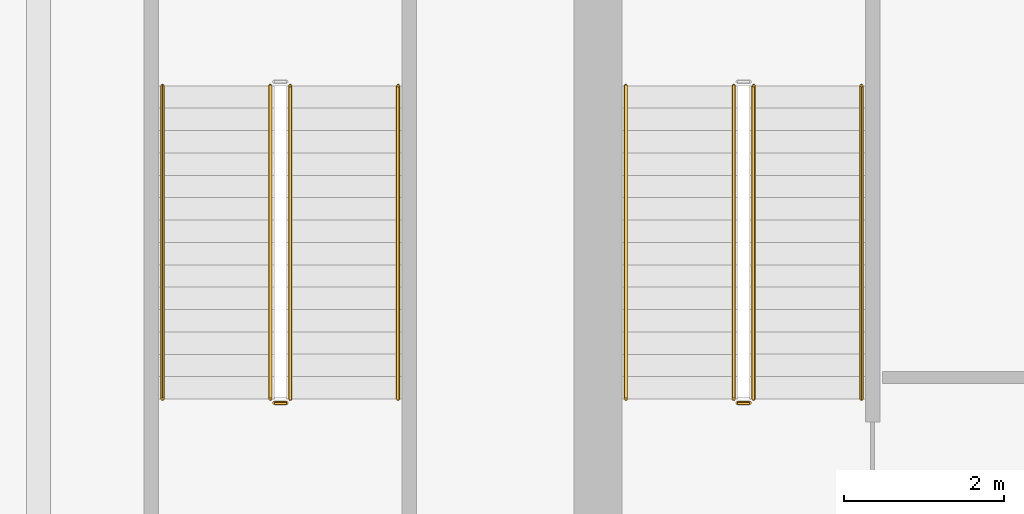
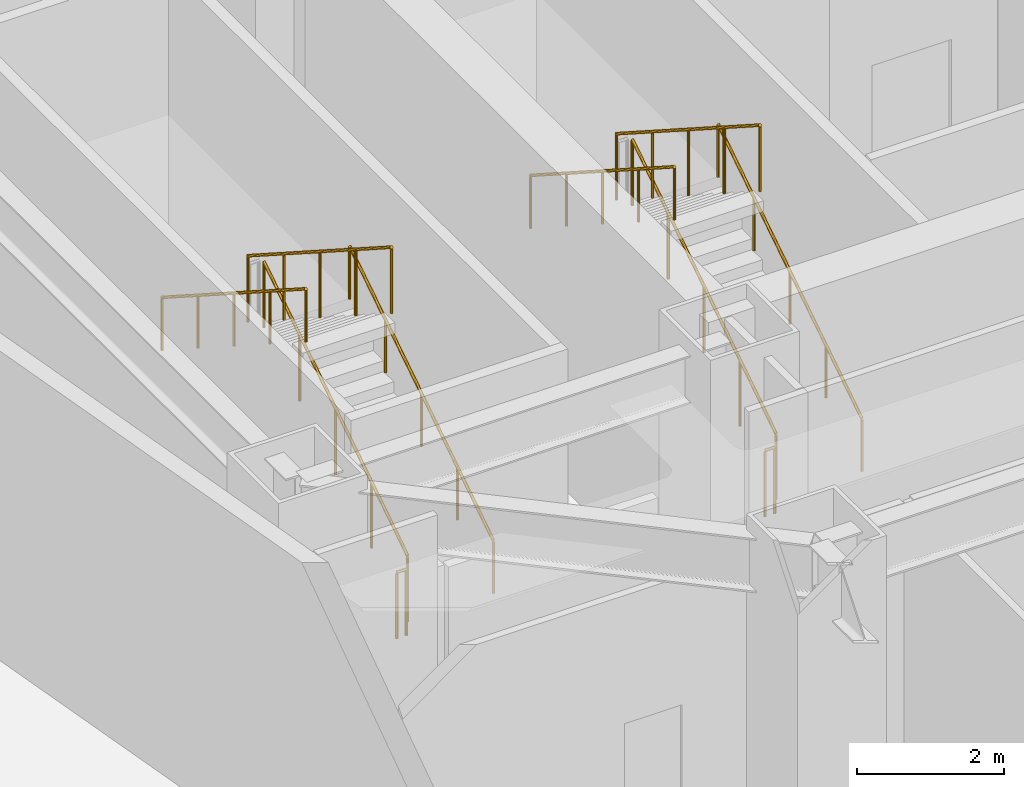
# One storey, part 26 of 29: 10 railings.
"""IFC4 building model written with IfcOpenShell, lengths in metres."""

from ifc_helpers import new_model, si_unit, direction, frame, origin, origin_2d, place, context, subcontext, project, spatial, circle, extrude, material, type_object, element, save


model = new_model("IFC4")

# Units and contexts
model_context = context("Model", 3, precision=1e-05, world=origin(), true_north=direction((0.0, 1.0)))
body_context = subcontext(model_context, "Body", "Model", "MODEL_VIEW")
ifc_project = project(units=[si_unit("LENGTHUNIT", "METRE"), si_unit("AREAUNIT", "SQUARE_METRE"), si_unit("VOLUMEUNIT", "CUBIC_METRE"), si_unit("PLANEANGLEUNIT", "RADIAN"), si_unit("MASSUNIT", "GRAM", prefix="KILO")], contexts=[model_context])

# Site, building, storey
site_placement = place(None, origin())
site = spatial("IfcSite", under=ifc_project, at=site_placement, CompositionType="ELEMENT")
building_placement = place(site_placement, origin())
building = spatial("IfcBuilding", under=site, at=building_placement, Name="Saevonmaru Cultural Tower", CompositionType="ELEMENT")
storey_placement = place(building_placement, frame((0.0, 0.0, 27.60009765625)))
storey = spatial("IfcBuildingStorey", under=building, at=storey_placement, Name="L05", CompositionType="ELEMENT", Elevation=27.60009765625)

# Railings
ifc_material_1 = material(Name="Architectural Painted Steel", Category="steel")
railing_type_1 = type_object("IfcRailingType", Name="RL-STAIR-GUARD", PredefinedType="GUARDRAIL", material=ifc_material_1)
railing_1_placement = place(storey_placement, frame((15.75, 44.85009765625, 0.179931640625)))
element("IfcRailing", 1, at=railing_1_placement, inside=storey, type_object=railing_type_1, Name="L05 ST-1 stair guard 1", PredefinedType="GUARDRAIL", context=body_context, shape_type="SweptSolid", body=[
    extrude(circle(Radius=0.02392578125, at=origin_2d()), frame((0.0, 0.0, 1.09619140625), z_axis=(0.0, 0.841171666519, 0.540768182723), x_axis=(-1.0, 0.0, 0.0)), (0.0, 0.0, 1.0), 4.66015625),
    extrude(circle(Radius=0.02099609375, at=origin_2d()), origin(), (0.0, 0.0, 1.0), 1.072021484375),
    extrude(circle(Radius=0.02099609375, at=origin_2d()), frame((0.0, 0.97998046875, 0.6298828125)), (0.0, 0.0, 1.0), 1.072021484375),
    extrude(circle(Radius=0.02099609375, at=origin_2d()), frame((0.0, 1.9599609375, 1.260009765625)), (0.0, 0.0, 1.0), 1.072021484375),
    extrude(circle(Radius=0.02099609375, at=origin_2d()), frame((0.0, 2.93994140625, 1.89013671875)), (0.0, 0.0, 1.0), 1.072021484375),
    extrude(circle(Radius=0.02099609375, at=origin_2d()), frame((0.0, 3.919921875, 2.52001953125)), (0.0, 0.0, 1.0), 1.072021484375),
])
railing_2_placement = place(storey_placement, frame((15.5, 48.77001953125, 2.8798828125)))
element("IfcRailing", 2, at=railing_2_placement, inside=storey, type_object=railing_type_1, Name="L05 ST-1 stair guard 3", PredefinedType="GUARDRAIL", context=body_context, shape_type="SweptSolid", body=[
    extrude(circle(Radius=0.02392578125, at=origin_2d()), frame((0.0, 0.0, 1.09619140625), z_axis=(0.0, -0.841171666519, 0.540768182723), x_axis=(1.0, 0.0, 0.0)), (0.0, 0.0, 1.0), 4.66015625),
    extrude(circle(Radius=0.02099609375, at=origin_2d()), origin(), (0.0, 0.0, 1.0), 1.072021484375),
    extrude(circle(Radius=0.02099609375, at=origin_2d()), frame((0.0, -0.97998046875, 0.6298828125)), (0.0, 0.0, 1.0), 1.072021484375),
    extrude(circle(Radius=0.02099609375, at=origin_2d()), frame((0.0, -1.9599609375, 1.260009765625)), (0.0, 0.0, 1.0), 1.072021484375),
    extrude(circle(Radius=0.02099609375, at=origin_2d()), frame((0.0, -2.93994140625, 1.89013671875)), (0.0, 0.0, 1.0), 1.072021484375),
    extrude(circle(Radius=0.02099609375, at=origin_2d()), frame((0.0, -3.919921875, 2.52001953125)), (0.0, 0.0, 1.0), 1.072021484375),
])
railing_3_placement = place(storey_placement, frame((15.699951171875, 44.800048828125, 0.0)))
element("IfcRailing", 3, at=railing_3_placement, inside=storey, type_object=railing_type_1, Name="L05 ST-1 stair guard 4", PredefinedType="GUARDRAIL", context=body_context, shape_type="SweptSolid", body=[
    extrude(circle(Radius=0.02392578125, at=origin_2d()), frame((0.0, 0.0, 1.09619140625), z_axis=(-1.0, 0.0, 0.0), x_axis=(0.0, -1.0, 0.0)), (0.0, 0.0, 1.0), 0.14990234375),
    extrude(circle(Radius=0.02099609375, at=origin_2d()), origin(), (0.0, 0.0, 1.0), 1.072021484375),
    extrude(circle(Radius=0.02099609375, at=origin_2d()), frame((-0.14990234375, 0.0, 0.0)), (0.0, 0.0, 1.0), 1.072021484375),
])
railing_4_placement = place(storey_placement, frame((9.949951171875, 44.85009765625, 0.179931640625)))
element("IfcRailing", 4, at=railing_4_placement, inside=storey, type_object=railing_type_1, Name="L05 ST-3 stair guard 1", PredefinedType="GUARDRAIL", context=body_context, shape_type="SweptSolid", body=[
    extrude(circle(Radius=0.02392578125, at=origin_2d()), frame((0.0, 0.0, 1.09619140625), z_axis=(0.0, 0.841171666519, 0.540768182723), x_axis=(-1.0, 0.0, 0.0)), (0.0, 0.0, 1.0), 4.66015625),
    extrude(circle(Radius=0.02099609375, at=origin_2d()), origin(), (0.0, 0.0, 1.0), 1.072021484375),
    extrude(circle(Radius=0.02099609375, at=origin_2d()), frame((0.0, 0.97998046875, 0.6298828125)), (0.0, 0.0, 1.0), 1.072021484375),
    extrude(circle(Radius=0.02099609375, at=origin_2d()), frame((0.0, 1.9599609375, 1.260009765625)), (0.0, 0.0, 1.0), 1.072021484375),
    extrude(circle(Radius=0.02099609375, at=origin_2d()), frame((0.0, 2.93994140625, 1.89013671875)), (0.0, 0.0, 1.0), 1.072021484375),
    extrude(circle(Radius=0.02099609375, at=origin_2d()), frame((0.0, 3.919921875, 2.52001953125)), (0.0, 0.0, 1.0), 1.072021484375),
])
railing_5_placement = place(storey_placement, frame((9.699951171875, 48.77001953125, 2.8798828125)))
element("IfcRailing", 5, at=railing_5_placement, inside=storey, type_object=railing_type_1, Name="L05 ST-3 stair guard 3", PredefinedType="GUARDRAIL", context=body_context, shape_type="SweptSolid", body=[
    extrude(circle(Radius=0.02392578125, at=origin_2d()), frame((0.0, 0.0, 1.09619140625), z_axis=(0.0, -0.841171666519, 0.540768182723), x_axis=(1.0, 0.0, 0.0)), (0.0, 0.0, 1.0), 4.66015625),
    extrude(circle(Radius=0.02099609375, at=origin_2d()), origin(), (0.0, 0.0, 1.0), 1.072021484375),
    extrude(circle(Radius=0.02099609375, at=origin_2d()), frame((0.0, -0.97998046875, 0.6298828125)), (0.0, 0.0, 1.0), 1.072021484375),
    extrude(circle(Radius=0.02099609375, at=origin_2d()), frame((0.0, -1.9599609375, 1.260009765625)), (0.0, 0.0, 1.0), 1.072021484375),
    extrude(circle(Radius=0.02099609375, at=origin_2d()), frame((0.0, -2.93994140625, 1.89013671875)), (0.0, 0.0, 1.0), 1.072021484375),
    extrude(circle(Radius=0.02099609375, at=origin_2d()), frame((0.0, -3.919921875, 2.52001953125)), (0.0, 0.0, 1.0), 1.072021484375),
])
railing_6_placement = place(storey_placement, frame((9.89990234375, 44.800048828125, 0.0)))
element("IfcRailing", 6, at=railing_6_placement, inside=storey, type_object=railing_type_1, Name="L05 ST-3 stair guard 4", PredefinedType="GUARDRAIL", context=body_context, shape_type="SweptSolid", body=[
    extrude(circle(Radius=0.02392578125, at=origin_2d()), frame((0.0, 0.0, 1.09619140625), z_axis=(-1.0, 0.0, 0.0), x_axis=(0.0, -1.0, 0.0)), (0.0, 0.0, 1.0), 0.14990234375),
    extrude(circle(Radius=0.02099609375, at=origin_2d()), origin(), (0.0, 0.0, 1.0), 1.072021484375),
    extrude(circle(Radius=0.02099609375, at=origin_2d()), frame((-0.14990234375, 0.0, 0.0)), (0.0, 0.0, 1.0), 1.072021484375),
])
ifc_material_2 = material(Name="Satin Bronze Anodised Aluminium", Category="aluminium")
railing_type_2 = type_object("IfcRailingType", Name="RL-STAIR-HANDRAIL", PredefinedType="HANDRAIL", material=ifc_material_2)
railing_7_placement = place(storey_placement, frame((17.10009765625, 44.85009765625, 0.179931640625)))
element("IfcRailing", 7, at=railing_7_placement, inside=storey, type_object=railing_type_2, Name="L05 ST-1 stair handrail 1", PredefinedType="HANDRAIL", context=body_context, shape_type="SweptSolid", body=[
    extrude(circle(Radius=0.02392578125, at=origin_2d()), frame((0.0, 0.0, 0.8759765625), z_axis=(0.0, 0.841171666519, 0.540768182723), x_axis=(-1.0, 0.0, 0.0)), (0.0, 0.0, 1.0), 4.66015625),
    extrude(circle(Radius=0.02099609375, at=origin_2d()), origin(), (0.0, 0.0, 1.0), 0.851806640625),
    extrude(circle(Radius=0.02099609375, at=origin_2d()), frame((0.0, 0.97998046875, 0.6298828125)), (0.0, 0.0, 1.0), 0.851806640625),
    extrude(circle(Radius=0.02099609375, at=origin_2d()), frame((0.0, 1.9599609375, 1.260009765625)), (0.0, 0.0, 1.0), 0.851806640625),
    extrude(circle(Radius=0.02099609375, at=origin_2d()), frame((0.0, 2.93994140625, 1.89013671875)), (0.0, 0.0, 1.0), 0.851806640625),
    extrude(circle(Radius=0.02099609375, at=origin_2d()), frame((0.0, 3.919921875, 2.52001953125)), (0.0, 0.0, 1.0), 0.851806640625),
])
railing_8_placement = place(storey_placement, frame((14.14990234375, 48.77001953125, 2.8798828125)))
element("IfcRailing", 8, at=railing_8_placement, inside=storey, type_object=railing_type_2, Name="L05 ST-1 stair handrail 2", PredefinedType="HANDRAIL", context=body_context, shape_type="SweptSolid", body=[
    extrude(circle(Radius=0.02392578125, at=origin_2d()), frame((0.0, 0.0, 0.8759765625), z_axis=(0.0, -0.841171666519, 0.540768182723), x_axis=(1.0, 0.0, 0.0)), (0.0, 0.0, 1.0), 4.66015625),
    extrude(circle(Radius=0.02099609375, at=origin_2d()), origin(), (0.0, 0.0, 1.0), 0.851806640625),
    extrude(circle(Radius=0.02099609375, at=origin_2d()), frame((0.0, -0.97998046875, 0.6298828125)), (0.0, 0.0, 1.0), 0.851806640625),
    extrude(circle(Radius=0.02099609375, at=origin_2d()), frame((0.0, -1.9599609375, 1.260009765625)), (0.0, 0.0, 1.0), 0.851806640625),
    extrude(circle(Radius=0.02099609375, at=origin_2d()), frame((0.0, -2.93994140625, 1.89013671875)), (0.0, 0.0, 1.0), 0.851806640625),
    extrude(circle(Radius=0.02099609375, at=origin_2d()), frame((0.0, -3.919921875, 2.52001953125)), (0.0, 0.0, 1.0), 0.851806640625),
])
railing_9_placement = place(storey_placement, frame((11.300048828125, 44.85009765625, 0.179931640625)))
element("IfcRailing", 9, at=railing_9_placement, inside=storey, type_object=railing_type_2, Name="L05 ST-3 stair handrail 1", PredefinedType="HANDRAIL", context=body_context, shape_type="SweptSolid", body=[
    extrude(circle(Radius=0.02392578125, at=origin_2d()), frame((0.0, 0.0, 0.8759765625), z_axis=(0.0, 0.841171666519, 0.540768182723), x_axis=(-1.0, 0.0, 0.0)), (0.0, 0.0, 1.0), 4.66015625),
    extrude(circle(Radius=0.02099609375, at=origin_2d()), origin(), (0.0, 0.0, 1.0), 0.851806640625),
    extrude(circle(Radius=0.02099609375, at=origin_2d()), frame((0.0, 0.97998046875, 0.6298828125)), (0.0, 0.0, 1.0), 0.851806640625),
    extrude(circle(Radius=0.02099609375, at=origin_2d()), frame((0.0, 1.9599609375, 1.260009765625)), (0.0, 0.0, 1.0), 0.851806640625),
    extrude(circle(Radius=0.02099609375, at=origin_2d()), frame((0.0, 2.93994140625, 1.89013671875)), (0.0, 0.0, 1.0), 0.851806640625),
    extrude(circle(Radius=0.02099609375, at=origin_2d()), frame((0.0, 3.919921875, 2.52001953125)), (0.0, 0.0, 1.0), 0.851806640625),
])
railing_10_placement = place(storey_placement, frame((8.35009765625, 48.77001953125, 2.8798828125)))
element("IfcRailing", 10, at=railing_10_placement, inside=storey, type_object=railing_type_2, Name="L05 ST-3 stair handrail 2", PredefinedType="HANDRAIL", context=body_context, shape_type="SweptSolid", body=[
    extrude(circle(Radius=0.02392578125, at=origin_2d()), frame((0.0, 0.0, 0.8759765625), z_axis=(0.0, -0.841171666519, 0.540768182723), x_axis=(1.0, 0.0, 0.0)), (0.0, 0.0, 1.0), 4.66015625),
    extrude(circle(Radius=0.02099609375, at=origin_2d()), origin(), (0.0, 0.0, 1.0), 0.851806640625),
    extrude(circle(Radius=0.02099609375, at=origin_2d()), frame((0.0, -0.97998046875, 0.6298828125)), (0.0, 0.0, 1.0), 0.851806640625),
    extrude(circle(Radius=0.02099609375, at=origin_2d()), frame((0.0, -1.9599609375, 1.260009765625)), (0.0, 0.0, 1.0), 0.851806640625),
    extrude(circle(Radius=0.02099609375, at=origin_2d()), frame((0.0, -2.93994140625, 1.89013671875)), (0.0, 0.0, 1.0), 0.851806640625),
    extrude(circle(Radius=0.02099609375, at=origin_2d()), frame((0.0, -3.919921875, 2.52001953125)), (0.0, 0.0, 1.0), 0.851806640625),
])

save(model, "model.ifc")
